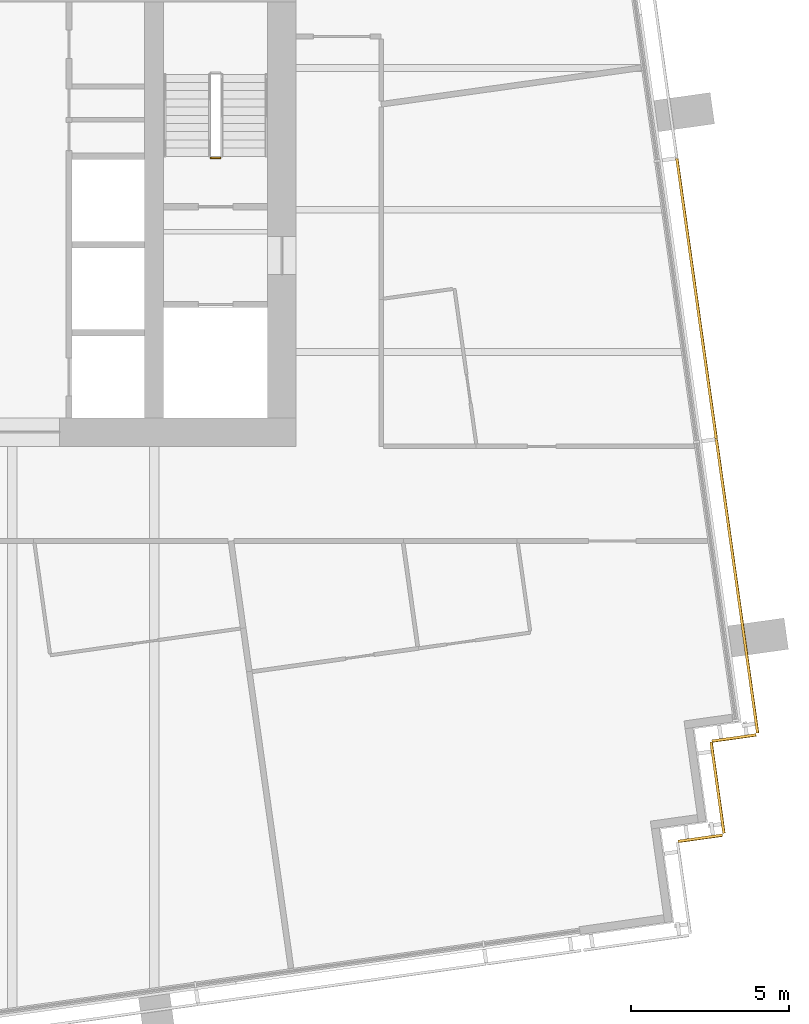
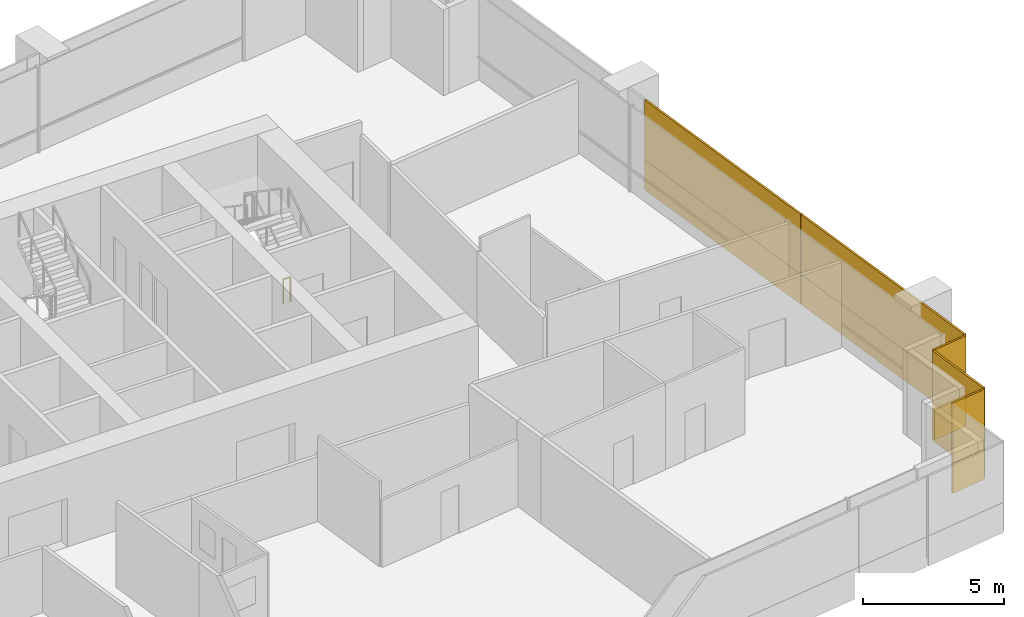
# One storey, part 16 of 18: 10 coverings, 1 railing.
"""IFC4 building model written with IfcOpenShell, lengths in metres."""

import ifcopenshell
import ifcopenshell.guid

model = None  # the IFC model being written
_history = None  # IfcOwnerHistory: only IFC2X3 demands one
_inside = {}  # id of a spatial element -> (the spatial element, [elements in it])
_under = {}  # id of a project, library or spatial element -> (it, [spatial elements below it])
_declared = {}  # id of a project -> (the project, [libraries it declares])
_typed = {}  # id of a type object -> (the type object, [elements of that type])
_made_of = {}  # id of a material, layer set ... -> (it, [elements and type objects made of it])


def new_model(schema):
    """Start an empty IFC model of exactly this schema.

    Asked for "IFC4X3", IfcOpenShell would pick the latest addendum, in which some entities
    have other attributes; the version numbers below select the first issue.
    IFC2X3 requires an IfcOwnerHistory on every rooted entity: one is made here for all.
    """
    global model, _history
    if schema == "IFC4X3":
        model = ifcopenshell.file(schema_version=(4, 3, 0, 0))
    else:
        model = ifcopenshell.file(schema=schema)
    _inside.clear()
    _under.clear()
    _declared.clear()
    _typed.clear()
    _made_of.clear()
    _history = None
    if model.schema == "IFC2X3":
        org = make("IfcOrganization", Name="unknown")
        user = make(
            "IfcPersonAndOrganization",
            ThePerson=make("IfcPerson", FamilyName="unknown"),
            TheOrganization=org,
        )
        app = make(
            "IfcApplication",
            ApplicationDeveloper=org,
            Version="unknown",
            ApplicationFullName="unknown",
            ApplicationIdentifier="unknown",
        )
        _history = make(
            "IfcOwnerHistory",
            OwningUser=user,
            OwningApplication=app,
            ChangeAction="ADDED",
            CreationDate=0,
        )
    return model


def make(cls, **values):
    """One entity of the class cls with the attributes given. An attribute that is None is left unset."""
    return model.create_entity(
        cls, **{name: value for name, value in values.items() if value is not None}
    )


def rooted(cls, **values):
    """An entity with a GlobalId (a new one), such as an element, a storey or a relation."""
    return make(cls, GlobalId=ifcopenshell.guid.new(), OwnerHistory=_history, **values)


def si_unit(unit_type, name, prefix=None):
    """IfcSIUnit, for example si_unit("LENGTHUNIT", "METRE", prefix="MILLI")."""
    return make("IfcSIUnit", UnitType=unit_type, Prefix=prefix, Name=name)


def assignment(units):
    """IfcUnitAssignment: the units of a project."""
    return None if units is None else make("IfcUnitAssignment", Units=units)


def point(xyz):
    """IfcCartesianPoint."""
    return None if xyz is None else make("IfcCartesianPoint", Coordinates=xyz)


def direction(xyz):
    """IfcDirection."""
    return None if xyz is None else make("IfcDirection", DirectionRatios=xyz)


def frame(location, z_axis=None, x_axis=None):
    """IfcAxis2Placement3D, a coordinate frame: its origin and axes. An axis left out is left unset."""
    return make(
        "IfcAxis2Placement3D",
        Location=point(location),
        Axis=direction(z_axis),
        RefDirection=direction(x_axis),
    )


def frame_2d(location, x_axis=None):
    """IfcAxis2Placement2D, a coordinate frame in the plane: its origin and x axis."""
    return make(
        "IfcAxis2Placement2D", Location=point(location), RefDirection=direction(x_axis)
    )


def origin():
    """The frame at (0, 0, 0) with its axes left unset."""
    return frame((0.0, 0.0, 0.0))


def origin_2d():
    """The frame at (0, 0) in the plane with its x axis left unset."""
    return frame_2d((0.0, 0.0))


def place(relative_to, where):
    """IfcLocalPlacement: puts the frame where relative to a parent placement (None: the world)."""
    return make(
        "IfcLocalPlacement", PlacementRelTo=relative_to, RelativePlacement=where
    )


def context(
    kind, dimensions, precision=None, world=None, true_north=None, identifier=None
):
    """IfcGeometricRepresentationContext, for example the 3D "Model" context."""
    return make(
        "IfcGeometricRepresentationContext",
        ContextIdentifier=identifier,
        ContextType=kind,
        CoordinateSpaceDimension=dimensions,
        Precision=precision,
        WorldCoordinateSystem=world,
        TrueNorth=true_north,
    )


def subcontext(parent, identifier, kind, view, scale=None):
    """IfcGeometricRepresentationSubContext, for example "Body" below "Model"."""
    return make(
        "IfcGeometricRepresentationSubContext",
        ContextIdentifier=identifier,
        ContextType=kind,
        ParentContext=parent,
        TargetScale=scale,
        TargetView=view,
    )


def project(units=None, contexts=None):
    """IfcProject with its units and contexts."""
    return rooted(
        "IfcProject",
        Name="project",
        RepresentationContexts=contexts,
        UnitsInContext=assignment(units),
    )


def spatial(cls, under=None, at=None, **own):
    """A site, building, storey or space (cls), placed at a placement, below another one or the project."""
    s = rooted(cls, ObjectPlacement=at, **own)
    if under is not None:
        _under.setdefault(under.id(), (under, []))[1].append(s)
    return s


def profile(cls, at=None, kind="AREA", **sizes):
    """A parametric profile (cls). Its sizes go by their IFC names, for example OverallWidth=200.0."""
    return make(cls, ProfileType=kind, Position=at, **sizes)


def rectangle(**sizes):
    """IfcRectangleProfileDef."""
    return profile("IfcRectangleProfileDef", **sizes)


def extrude(swept, where, along, depth):
    """IfcExtrudedAreaSolid: the profile swept, set in the frame where, extruded along a direction by depth."""
    return make(
        "IfcExtrudedAreaSolid",
        SweptArea=swept,
        Position=where,
        ExtrudedDirection=direction(along),
        Depth=depth,
    )


def shape(context_of_items, identifier, shape_type, items):
    """IfcShapeRepresentation: the items that make up one representation, for example the "Body"."""
    return make(
        "IfcShapeRepresentation",
        ContextOfItems=context_of_items,
        RepresentationIdentifier=identifier,
        RepresentationType=shape_type,
        Items=items,
    )


def material(Name=None, Category=None):
    """IfcMaterial."""
    return make("IfcMaterial", Name=Name, Category=Category)


def layer(
    of_material, thickness, ventilated=None, Name=None, Category=None, Priority=None
):
    """IfcMaterialLayer: one layer of a wall or slab, of a material (None: an air gap)."""
    return make(
        "IfcMaterialLayer",
        Material=of_material,
        LayerThickness=thickness,
        IsVentilated=ventilated,
        Name=Name,
        Category=Category,
        Priority=Priority,
    )


def layer_set(layers, Name=None):
    """IfcMaterialLayerSet."""
    return make("IfcMaterialLayerSet", MaterialLayers=layers, LayerSetName=Name)


def made_of(thing, what):
    """Note that an element or type object is made of a material, layer set ...; save() writes the relation."""
    if what is not None:
        _made_of.setdefault(what.id(), (what, []))[1].append(thing)
    return thing


def type_object(cls, material=None, **own):
    """A type object (cls), such as IfcWallType, which elements share."""
    return made_of(rooted(cls, **own), material)


def element(
    cls,
    number,
    at=None,
    inside=None,
    cuts=None,
    type_object=None,
    material=None,
    context=None,
    identifier="Body",
    shape_type=None,
    held_by="IfcProductDefinitionShape",
    body=None,
    shapes=None,
    **own,
):
    """One element of the class cls, such as IfcWall. Its Tag is "e" and its number.

    at: its placement. inside: the storey or other place that contains it. cuts: it is an
    opening in that element (IfcRelVoidsElement). A single representation is given by context,
    identifier, shape_type and body (its items); several are given by shapes. held_by: the class
    of the entity that holds the representations. save() writes the other relations.
    """
    e = rooted(cls, Tag="e%d" % number, ObjectPlacement=at, **own)
    if body is not None:
        shapes = [shape(context, identifier, shape_type, body)]
    if shapes is not None:
        e.Representation = make(held_by, Representations=shapes)
    if inside is not None:
        _inside.setdefault(inside.id(), (inside, []))[1].append(e)
    if cuts is not None:
        rooted(
            "IfcRelVoidsElement", RelatingBuildingElement=cuts, RelatedOpeningElement=e
        )
    if type_object is not None:
        _typed.setdefault(type_object.id(), (type_object, []))[1].append(e)
    return made_of(e, material)


def aggregate(whole, parts):
    """IfcRelAggregates: a whole, such as a stair, and the parts it consists of."""
    return rooted("IfcRelAggregates", RelatingObject=whole, RelatedObjects=parts)


def save(model, path):
    """Write the relations noted so far, then the file.

    IfcRelAggregates (storeys below a building ...), IfcRelContainedInSpatialStructure (elements
    in a storey), IfcRelDefinesByType, IfcRelAssociatesMaterial and IfcRelDeclares: one each for
    every whole, place, type object, material and project.
    """
    for whole, parts in _under.values():
        aggregate(whole, parts)
    for where, things in _inside.values():
        rooted(
            "IfcRelContainedInSpatialStructure",
            RelatedElements=things,
            RelatingStructure=where,
        )
    for kind, things in _typed.values():
        rooted("IfcRelDefinesByType", RelatedObjects=things, RelatingType=kind)
    for what, things in _made_of.values():
        rooted("IfcRelAssociatesMaterial", RelatedObjects=things, RelatingMaterial=what)
    for by, libraries in _declared.values():
        rooted("IfcRelDeclares", RelatingContext=by, RelatedDefinitions=libraries)
    model.write(path)


model = new_model("IFC4")

# Units and contexts
model_context = context("Model", 3, precision=1e-05, world=origin(), true_north=direction((0.0, 1.0)))
body_context = subcontext(model_context, "Body", "Model", "MODEL_VIEW")
ifc_project = project(units=[si_unit("LENGTHUNIT", "METRE"), si_unit("AREAUNIT", "SQUARE_METRE"), si_unit("VOLUMEUNIT", "CUBIC_METRE"), si_unit("PLANEANGLEUNIT", "RADIAN"), si_unit("MASSUNIT", "GRAM", prefix="KILO")], contexts=[model_context])

# Site, building, storey
site_placement = place(None, origin())
site = spatial("IfcSite", under=ifc_project, at=site_placement, CompositionType="ELEMENT")
building_placement = place(site_placement, origin())
building = spatial("IfcBuilding", under=site, at=building_placement, Name="Rattan Terrace Tower", CompositionType="ELEMENT")
storey_placement = place(building_placement, frame((0.0, 0.0, 233.0)))
storey = spatial("IfcBuildingStorey", under=building, at=storey_placement, Name="L53", CompositionType="ELEMENT", Elevation=233.0)

# Railing
ifc_material_1 = material(Name="Powder-coated steel guard", Category="steel")
railing_type = type_object("IfcRailingType", Name="Core stair guard", PredefinedType="GUARDRAIL", material=ifc_material_1)
railing_placement = place(storey_placement, frame((15.60009765625, 1.64990234375, 0.0)))
element("IfcRailing", 1, at=railing_placement, inside=storey, type_object=railing_type, Name="L53 S2 stair guard 4", PredefinedType="GUARDRAIL", context=body_context, shape_type="SweptSolid", body=[
    extrude(rectangle(XDim=0.048095703125, YDim=0.048095703125, at=origin_2d()), frame((0.0, 0.0, 1.076171875), z_axis=(-1.0, 0.0, 0.0), x_axis=(0.0, -1.0, 0.0)), (0.0, 0.0, 1.0), 0.300048828125),
    extrude(rectangle(XDim=0.0419921875, YDim=0.0419921875, at=origin_2d()), origin(), (0.0, 0.0, 1.0), 1.052001953125),
    extrude(rectangle(XDim=0.0419921875, YDim=0.0419921875, at=origin_2d()), frame((-0.300048828125, 0.0, 0.0)), (0.0, 0.0, 1.0), 1.052001953125),
])

# Coverings
ifc_material_2 = material(Name="Solid terracotta", Category="masonry")
ifc_layer_1 = layer(ifc_material_2, 0.090087890625)
ifc_layer_set_1 = layer_set([ifc_layer_1], Name="Facade Terracotta Band Panel HZ")
covering_type_1 = type_object("IfcCoveringType", Name="Facade Terracotta Band Panel HZ", PredefinedType="CLADDING", material=ifc_layer_set_1)
covering_1_placement = place(storey_placement, frame((30.825927734375, -19.93212890625, -0.18994140625), z_axis=(0.0, 0.0, 1.0), x_axis=(0.990332587523, 0.138713251317, 0.0)))
element("IfcCovering", 2, at=covering_1_placement, inside=storey, type_object=covering_type_1, Name="OUTER SKIN panel L53-3A", PredefinedType="CLADDING", context=body_context, shape_type="SweptSolid", body=[
    extrude(rectangle(XDim=1.419677734375, YDim=0.090087890625, at=origin_2d()), origin(), (0.0, 0.0, 1.0), 1.300048828125),
])
covering_2_placement = place(storey_placement, frame((31.3720703125, -18.325439453125, -0.18994140625), z_axis=(0.0, 0.0, 1.0), x_axis=(-0.139321220646, 0.990247240581, 0.0)))
element("IfcCovering", 3, at=covering_2_placement, inside=storey, type_object=covering_type_1, Name="OUTER SKIN panel L53-4A", PredefinedType="CLADDING", context=body_context, shape_type="SweptSolid", body=[
    extrude(rectangle(XDim=2.92041015625, YDim=0.090087890625, at=origin_2d()), origin(), (0.0, 0.0, 1.0), 1.300048828125),
])
covering_3_placement = place(storey_placement, frame((31.893310546875, -16.752197265625, -0.18994140625), z_axis=(0.0, 0.0, 1.0), x_axis=(0.99025370695, 0.139275252184, 0.0)))
element("IfcCovering", 4, at=covering_3_placement, inside=storey, type_object=covering_type_1, Name="OUTER SKIN panel L53-5A", PredefinedType="CLADDING", context=body_context, shape_type="SweptSolid", body=[
    extrude(rectangle(XDim=1.420654296875, YDim=0.090087890625, at=origin_2d()), origin(), (0.0, 0.0, 1.0), 1.300048828125),
])
covering_4_placement = place(storey_placement, frame((31.9892578125, -11.93701171875, -0.18994140625), z_axis=(0.0, 0.0, 1.0), x_axis=(-0.139186165309, 0.990266232579, 0.0)))
element("IfcCovering", 5, at=covering_4_placement, inside=storey, type_object=covering_type_1, Name="OUTER SKIN panel L53-6A", PredefinedType="CLADDING", context=body_context, shape_type="SweptSolid", body=[
    extrude(rectangle(XDim=9.39990234375, YDim=0.090087890625, at=origin_2d()), origin(), (0.0, 0.0, 1.0), 1.300048828125),
])
covering_5_placement = place(storey_placement, frame((30.70751953125, -2.816650390625, -0.18994140625), z_axis=(0.0, 0.0, 1.0), x_axis=(-0.139186165309, 0.990266232579, 0.0)))
element("IfcCovering", 6, at=covering_5_placement, inside=storey, type_object=covering_type_1, Name="OUTER SKIN panel L53-7A", PredefinedType="CLADDING", context=body_context, shape_type="SweptSolid", body=[
    extrude(rectangle(XDim=8.97998046875, YDim=0.090087890625, at=origin_2d()), origin(), (0.0, 0.0, 1.0), 1.300048828125),
])
ifc_material_3 = material(Name="Perforated terracotta", Category="masonry")
ifc_layer_2 = layer(ifc_material_3, 0.080078125)
ifc_layer_set_2 = layer_set([ifc_layer_2], Name="Facade Terracotta Screen Panel HZ")
covering_type_2 = type_object("IfcCoveringType", Name="Facade Terracotta Screen Panel HZ", PredefinedType="CLADDING", material=ifc_layer_set_2)
covering_6_placement = place(storey_placement, frame((30.8251953125, -19.927001953125, 1.10986328125), z_axis=(0.0, 0.0, 1.0), x_axis=(0.990332587523, 0.138713251317, 0.0)))
element("IfcCovering", 7, at=covering_6_placement, inside=storey, type_object=covering_type_2, Name="OUTER SKIN panel L53-3B", PredefinedType="CLADDING", context=body_context, shape_type="SweptSolid", body=[
    extrude(rectangle(XDim=1.419677734375, YDim=0.080078125, at=origin_2d()), origin(), (0.0, 0.0, 1.0), 2.580078125),
])
covering_7_placement = place(storey_placement, frame((31.3671875, -18.326171875, 1.10986328125), z_axis=(0.0, 0.0, 1.0), x_axis=(-0.139321220646, 0.990247240581, 0.0)))
element("IfcCovering", 8, at=covering_7_placement, inside=storey, type_object=covering_type_2, Name="OUTER SKIN panel L53-4B", PredefinedType="CLADDING", context=body_context, shape_type="SweptSolid", body=[
    extrude(rectangle(XDim=2.92041015625, YDim=0.080078125, at=origin_2d()), origin(), (0.0, 0.0, 1.0), 2.580078125),
])
covering_8_placement = place(storey_placement, frame((31.892578125, -16.747314453125, 1.10986328125), z_axis=(0.0, 0.0, 1.0), x_axis=(0.99025370695, 0.139275252184, 0.0)))
element("IfcCovering", 9, at=covering_8_placement, inside=storey, type_object=covering_type_2, Name="OUTER SKIN panel L53-5B", PredefinedType="CLADDING", context=body_context, shape_type="SweptSolid", body=[
    extrude(rectangle(XDim=1.420654296875, YDim=0.080078125, at=origin_2d()), origin(), (0.0, 0.0, 1.0), 2.580078125),
])
covering_9_placement = place(storey_placement, frame((31.984375, -11.937744140625, 1.10986328125), z_axis=(0.0, 0.0, 1.0), x_axis=(-0.139186165309, 0.990266232579, 0.0)))
element("IfcCovering", 10, at=covering_9_placement, inside=storey, type_object=covering_type_2, Name="OUTER SKIN panel L53-6B", PredefinedType="CLADDING", context=body_context, shape_type="SweptSolid", body=[
    extrude(rectangle(XDim=9.39990234375, YDim=0.080078125, at=origin_2d()), origin(), (0.0, 0.0, 1.0), 2.580078125),
])
covering_10_placement = place(storey_placement, frame((30.702392578125, -2.8173828125, 1.10986328125), z_axis=(0.0, 0.0, 1.0), x_axis=(-0.139186165309, 0.990266232579, 0.0)))
element("IfcCovering", 11, at=covering_10_placement, inside=storey, type_object=covering_type_2, Name="OUTER SKIN panel L53-7B", PredefinedType="CLADDING", context=body_context, shape_type="SweptSolid", body=[
    extrude(rectangle(XDim=8.97998046875, YDim=0.080078125, at=origin_2d()), origin(), (0.0, 0.0, 1.0), 2.580078125),
])

save(model, "model.ifc")
